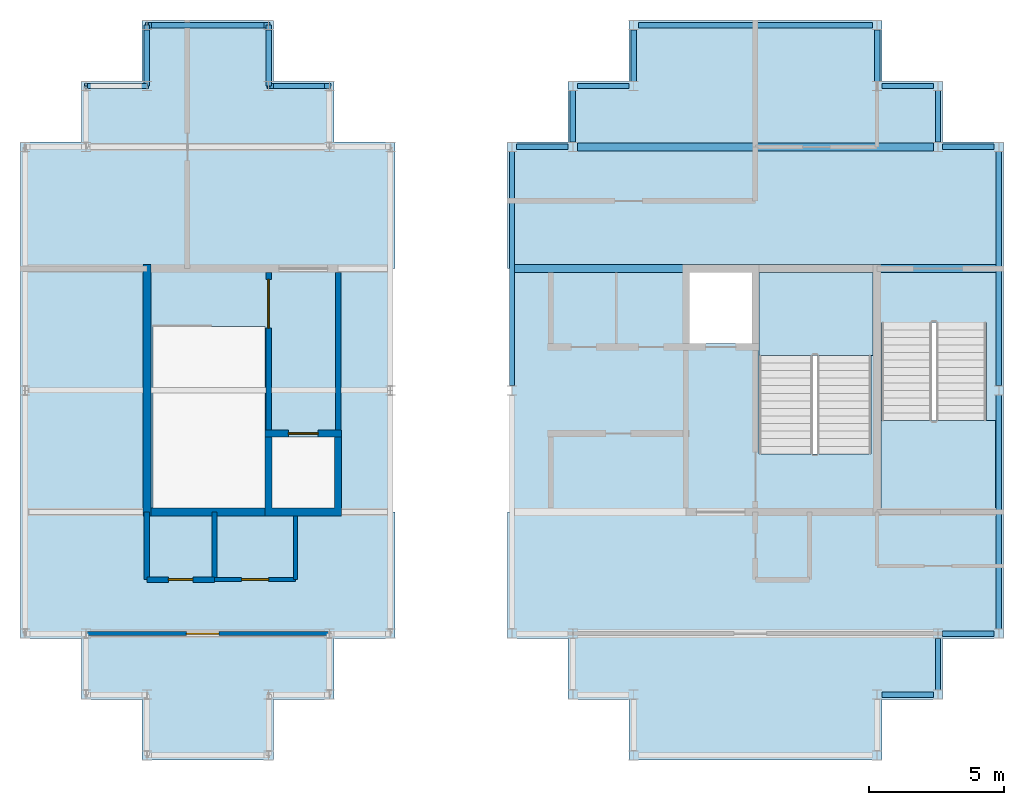
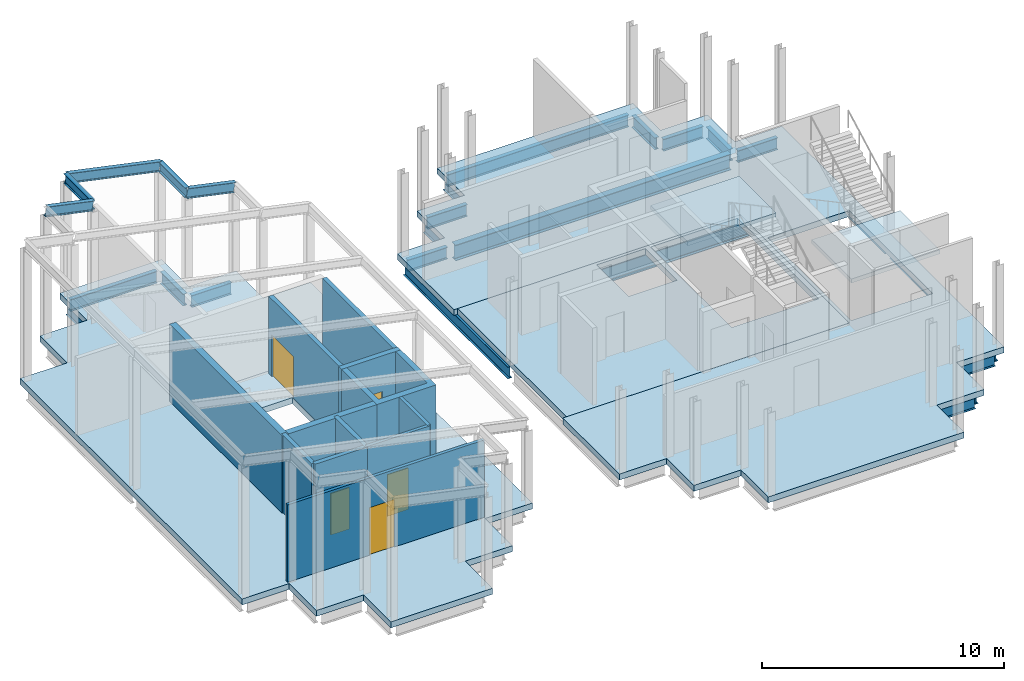
# One storey, part 2 of 6: 26 beams, 12 walls, 6 slabs, 5 doors, 5 openings, 2 elements without a shape of their own.
"""IFC4 building model written with IfcOpenShell, lengths in metres."""

from ifc_helpers import new_model, si_unit, direction, frame, frame_2d, origin, origin_2d, place, context, subcontext, project, spatial, polyline, rectangle, i_section, outline, extrude, material, layer, layer_set, material_profile, profile_set, type_object, element, fill, aggregate, save


model = new_model("IFC4")

# Units and contexts
model_context = context("Model", 3, precision=1e-05, world=origin(), true_north=direction((0.0, 1.0)))
body_context = subcontext(model_context, "Body", "Model", "MODEL_VIEW")
ifc_project = project(units=[si_unit("LENGTHUNIT", "METRE"), si_unit("AREAUNIT", "SQUARE_METRE"), si_unit("VOLUMEUNIT", "CUBIC_METRE"), si_unit("PLANEANGLEUNIT", "RADIAN"), si_unit("MASSUNIT", "GRAM", prefix="KILO")], contexts=[model_context])

# Site, building, storey
site_placement = place(None, origin())
site = spatial("IfcSite", under=ifc_project, at=site_placement, CompositionType="ELEMENT")
building_placement = place(site_placement, origin())
building = spatial("IfcBuilding", under=site, at=building_placement, Name="Caravel Reach Hotel and Residences", CompositionType="ELEMENT")
storey_placement = place(building_placement, frame((0.0, 0.0, 321.199951171875)))
storey = spatial("IfcBuildingStorey", under=building, at=storey_placement, Name="L81", CompositionType="ELEMENT", Elevation=321.199951171875)

# Beams
ifc_material_1 = material(Name="Structural steel Q355B", Category="steel")
ifc_material_profile_1 = material_profile(ifc_material_1, i_section(OverallWidth=0.300048828125, OverallDepth=0.800048828125, WebThickness=0.013916015625, FlangeThickness=0.02587890625, FilletRadius=0.01806640625, at=origin_2d()), Name="HN 800x300x14x26")
ifc_profile_set_1 = profile_set([ifc_material_profile_1], Name="Structural steel Q355B")
beam_type_1 = type_object("IfcBeamType", Name="Beam HN 800x300x14x26", PredefinedType="BEAM", material=ifc_profile_set_1)
beam_1_placement = place(storey_placement, frame((31.60009765625, 31.5, -0.699951171875), z_axis=(1.0, 0.0, 0.0), x_axis=(0.0, 1.0, 0.0)))
element("IfcBeam", 1, at=beam_1_placement, inside=storey, type_object=beam_type_1, Name="B4 HN 800x300x14x26", PredefinedType="BEAM", context=body_context, shape_type="SweptSolid", body=[
    extrude(i_section(OverallWidth=0.300048828125, OverallDepth=0.800048828125, WebThickness=0.013916015625, FlangeThickness=0.02587890625, FilletRadius=0.01806640625, at=origin_2d()), origin(), (0.0, 0.0, 1.0), 17.7998046875),
])
beam_2_placement = place(storey_placement, frame((33.925048828125, 36.0, -0.699951171875), z_axis=(1.0, 0.0, 0.0), x_axis=(0.0, 1.0, 0.0)))
element("IfcBeam", 2, at=beam_2_placement, inside=storey, type_object=beam_type_1, Name="B4 HN 800x300x14x26", PredefinedType="BEAM", context=body_context, shape_type="SweptSolid", body=[
    extrude(i_section(OverallWidth=0.300048828125, OverallDepth=0.800048828125, WebThickness=0.013916015625, FlangeThickness=0.02587890625, FilletRadius=0.01806640625, at=origin_2d()), origin(), (0.0, 0.0, 1.0), 13.14990234375),
])
ifc_material_2 = material(Name="Structural steel Q355B", Category="steel")
ifc_material_profile_2 = material_profile(ifc_material_2, i_section(OverallWidth=0.199951171875, OverallDepth=0.5, WebThickness=0.010009765625, FlangeThickness=0.01611328125, FilletRadius=0.012939453125, at=origin_2d()), Name="HN 500x200x10x16")
ifc_profile_set_2 = profile_set([ifc_material_profile_2], Name="Structural steel Q355B")
beam_type_2 = type_object("IfcBeamType", Name="Edge beam HN 500x200x10x16", PredefinedType="USERDEFINED", material=ifc_profile_set_2)
beam_3_placement = place(storey_placement, frame((24.75, 38.25, 4.428466796875), z_axis=(-0.978167482015, 0.0, 0.207818134742), x_axis=(0.0, -1.0, 0.0)))
element("IfcBeam", 3, at=beam_3_placement, inside=storey, type_object=beam_type_2, Name="EB3 HN 500x200x10x16", ObjectType="Edge beam", PredefinedType="USERDEFINED", context=body_context, shape_type="SweptSolid", body=[
    extrude(i_section(OverallWidth=0.199951171875, OverallDepth=0.5, WebThickness=0.010009765625, FlangeThickness=0.01611328125, FilletRadius=0.012939453125, at=origin_2d()), origin(), (0.0, 0.0, 1.0), 2.30029296875),
])
beam_4_placement = place(storey_placement, frame((22.5, 38.25, 4.906494140625), z_axis=(0.0, 1.0, 0.0), x_axis=(-1.0, 0.0, 0.0)))
element("IfcBeam", 4, at=beam_4_placement, inside=storey, type_object=beam_type_2, Name="EB3 HN 500x200x10x16", ObjectType="Edge beam", PredefinedType="USERDEFINED", context=body_context, shape_type="SweptSolid", body=[
    extrude(i_section(OverallWidth=0.199951171875, OverallDepth=0.5, WebThickness=0.010009765625, FlangeThickness=0.01611328125, FilletRadius=0.012939453125, at=origin_2d()), origin(), (0.0, 0.0, 1.0), 2.25),
])
beam_5_placement = place(storey_placement, frame((22.5, 40.5, 4.906494140625), z_axis=(-0.978145901394, 0.0, 0.20791968542), x_axis=(0.0, -1.0, 0.0)))
element("IfcBeam", 5, at=beam_5_placement, inside=storey, type_object=beam_type_2, Name="EB3 HN 500x200x10x16", ObjectType="Edge beam", PredefinedType="USERDEFINED", context=body_context, shape_type="SweptSolid", body=[
    extrude(i_section(OverallWidth=0.199951171875, OverallDepth=0.5, WebThickness=0.010009765625, FlangeThickness=0.01611328125, FilletRadius=0.012939453125, at=origin_2d()), origin(), (0.0, 0.0, 1.0), 4.6005859375),
])
beam_6_placement = place(storey_placement, frame((18.0, 40.5, 5.863037109375), z_axis=(0.0, -1.0, 0.0), x_axis=(1.0, 0.0, 0.0)))
element("IfcBeam", 6, at=beam_6_placement, inside=storey, type_object=beam_type_2, Name="EB3 HN 500x200x10x16", ObjectType="Edge beam", PredefinedType="USERDEFINED", context=body_context, shape_type="SweptSolid", body=[
    extrude(i_section(OverallWidth=0.199951171875, OverallDepth=0.5, WebThickness=0.010009765625, FlangeThickness=0.01611328125, FilletRadius=0.012939453125, at=origin_2d()), origin(), (0.0, 0.0, 1.0), 2.25),
])
beam_7_placement = place(storey_placement, frame((18.0, 38.25, 5.863037109375), z_axis=(-0.978145901394, 0.0, 0.20791968542), x_axis=(0.0, -1.0, 0.0)))
element("IfcBeam", 7, at=beam_7_placement, inside=storey, type_object=beam_type_2, Name="EB3 HN 500x200x10x16", ObjectType="Edge beam", PredefinedType="USERDEFINED", context=body_context, shape_type="SweptSolid", body=[
    extrude(i_section(OverallWidth=0.199951171875, OverallDepth=0.5, WebThickness=0.010009765625, FlangeThickness=0.01611328125, FilletRadius=0.012939453125, at=origin_2d()), origin(), (0.0, 0.0, 1.0), 2.30029296875),
])
ifc_material_3 = material(Name="Structural steel Q355B", Category="steel")
ifc_material_profile_3 = material_profile(ifc_material_3, i_section(OverallWidth=0.199951171875, OverallDepth=0.60009765625, WebThickness=0.010986328125, FlangeThickness=0.01708984375, FilletRadius=0.012939453125, at=origin_2d()), Name="HN 600x200x11x17")
ifc_profile_set_3 = profile_set([ifc_material_profile_3], Name="Structural steel Q355B")
beam_type_3 = type_object("IfcBeamType", Name="Spandrel beam HN 600x200x11x17", PredefinedType="SPANDREL", material=ifc_profile_set_3)
for number, where, z_axis, x_axis, name in (
    (8, (45.175048828125, 15.75, -0.599853515625), (1.0, 0.0, 0.0), (0.0, 1.0, 0.0), "SP1 HN 600x200x11x17"),
    (9, (47.25, 15.925048828125, -0.599853515625), (0.0, 1.0, 0.0), (-1.0, 0.0, 0.0), "SP1 HN 600x200x11x17"),
    (10, (47.425048828125, 18.0, -0.599853515625), (1.0, 0.0, 0.0), (0.0, 1.0, 0.0), "SP1 HN 600x200x11x17"),
):
    element("IfcBeam", number, at=place(storey_placement, frame(where, z_axis=z_axis, x_axis=x_axis)), inside=storey, type_object=beam_type_3, Name=name, PredefinedType="SPANDREL", context=body_context, shape_type="SweptSolid", body=[
        extrude(i_section(OverallWidth=0.199951171875, OverallDepth=0.60009765625, WebThickness=0.010986328125, FlangeThickness=0.01708984375, FilletRadius=0.012939453125, at=origin_2d()), origin(), (0.0, 0.0, 1.0), 1.89990234375),
    ])
for number, where, z_axis, x_axis, name in (
    (11, (49.5, 18.175048828125, -0.599853515625), (0.0, 1.0, 0.0), (-1.0, 0.0, 0.0), "SP1 HN 600x200x11x17"),
    (12, (49.5, 27.175048828125, -0.599853515625), (0.0, 1.0, 0.0), (-1.0, 0.0, 0.0), "SP1 HN 600x200x11x17"),
):
    element("IfcBeam", number, at=place(storey_placement, frame(where, z_axis=z_axis, x_axis=x_axis)), inside=storey, type_object=beam_type_3, Name=name, PredefinedType="SPANDREL", context=body_context, shape_type="SweptSolid", body=[
        extrude(i_section(OverallWidth=0.199951171875, OverallDepth=0.60009765625, WebThickness=0.010986328125, FlangeThickness=0.01708984375, FilletRadius=0.012939453125, at=origin_2d()), origin(), (0.0, 0.0, 1.0), 8.64990234375),
    ])
for number, where, z_axis, x_axis, name in (
    (13, (49.324951171875, 36.0, -0.599853515625), (-1.0, 0.0, 0.0), (0.0, -1.0, 0.0), "SP1 HN 600x200x11x17"),
    (14, (47.25, 36.175048828125, -0.599853515625), (0.0, 1.0, 0.0), (-1.0, 0.0, 0.0), "SP1 HN 600x200x11x17"),
    (15, (47.074951171875, 38.25, -0.599853515625), (-1.0, 0.0, 0.0), (0.0, -1.0, 0.0), "SP1 HN 600x200x11x17"),
    (16, (45.0, 38.425048828125, -0.599853515625), (0.0, 1.0, 0.0), (-1.0, 0.0, 0.0), "SP1 HN 600x200x11x17"),
):
    element("IfcBeam", number, at=place(storey_placement, frame(where, z_axis=z_axis, x_axis=x_axis)), inside=storey, type_object=beam_type_3, Name=name, PredefinedType="SPANDREL", context=body_context, shape_type="SweptSolid", body=[
        extrude(i_section(OverallWidth=0.199951171875, OverallDepth=0.60009765625, WebThickness=0.010986328125, FlangeThickness=0.01708984375, FilletRadius=0.012939453125, at=origin_2d()), origin(), (0.0, 0.0, 1.0), 1.89990234375),
    ])
beam_8_placement = place(storey_placement, frame((44.824951171875, 40.5, -0.599853515625), z_axis=(-1.0, 0.0, 0.0), x_axis=(0.0, -1.0, 0.0)))
element("IfcBeam", 17, at=beam_8_placement, inside=storey, type_object=beam_type_3, Name="SP1 HN 600x200x11x17", PredefinedType="SPANDREL", context=body_context, shape_type="SweptSolid", body=[
    extrude(i_section(OverallWidth=0.199951171875, OverallDepth=0.60009765625, WebThickness=0.010986328125, FlangeThickness=0.01708984375, FilletRadius=0.012939453125, at=origin_2d()), origin(), (0.0, 0.0, 1.0), 8.64990234375),
])
for number, where, z_axis, x_axis, name in (
    (18, (36.0, 40.324951171875, -0.599853515625), (0.0, -1.0, 0.0), (1.0, 0.0, 0.0), "SP1 HN 600x200x11x17"),
    (19, (35.824951171875, 38.25, -0.599853515625), (-1.0, 0.0, 0.0), (0.0, -1.0, 0.0), "SP1 HN 600x200x11x17"),
    (20, (33.75, 38.074951171875, -0.599853515625), (0.0, -1.0, 0.0), (1.0, 0.0, 0.0), "SP1 HN 600x200x11x17"),
    (21, (33.574951171875, 36.0, -0.599853515625), (-1.0, 0.0, 0.0), (0.0, -1.0, 0.0), "SP1 HN 600x200x11x17"),
):
    element("IfcBeam", number, at=place(storey_placement, frame(where, z_axis=z_axis, x_axis=x_axis)), inside=storey, type_object=beam_type_3, Name=name, PredefinedType="SPANDREL", context=body_context, shape_type="SweptSolid", body=[
        extrude(i_section(OverallWidth=0.199951171875, OverallDepth=0.60009765625, WebThickness=0.010986328125, FlangeThickness=0.01708984375, FilletRadius=0.012939453125, at=origin_2d()), origin(), (0.0, 0.0, 1.0), 1.89990234375),
    ])
beam_9_placement = place(storey_placement, frame((31.5, 35.824951171875, -0.599853515625), z_axis=(0.0, -1.0, 0.0), x_axis=(1.0, 0.0, 0.0)))
element("IfcBeam", 22, at=beam_9_placement, inside=storey, type_object=beam_type_3, Name="SP1 HN 600x200x11x17", PredefinedType="SPANDREL", context=body_context, shape_type="SweptSolid", body=[
    extrude(i_section(OverallWidth=0.199951171875, OverallDepth=0.60009765625, WebThickness=0.010986328125, FlangeThickness=0.01708984375, FilletRadius=0.012939453125, at=origin_2d()), origin(), (0.0, 0.0, 1.0), 8.64990234375),
])
for number, where, z_axis, x_axis, name in (
    (23, (24.574951171875, 38.25, -0.599853515625), (-1.0, 0.0, 0.0), (0.0, -1.0, 0.0), "SP1 HN 600x200x11x17"),
    (24, (22.5, 38.425048828125, -0.599853515625), (0.0, 1.0, 0.0), (-1.0, 0.0, 0.0), "SP1 HN 600x200x11x17"),
):
    element("IfcBeam", number, at=place(storey_placement, frame(where, z_axis=z_axis, x_axis=x_axis)), inside=storey, type_object=beam_type_3, Name=name, PredefinedType="SPANDREL", context=body_context, shape_type="SweptSolid", body=[
        extrude(i_section(OverallWidth=0.199951171875, OverallDepth=0.60009765625, WebThickness=0.010986328125, FlangeThickness=0.01708984375, FilletRadius=0.012939453125, at=origin_2d()), origin(), (0.0, 0.0, 1.0), 1.89990234375),
    ])
beam_10_placement = place(storey_placement, frame((22.324951171875, 40.5, -0.599853515625), z_axis=(-1.0, 0.0, 0.0), x_axis=(0.0, -1.0, 0.0)))
element("IfcBeam", 25, at=beam_10_placement, inside=storey, type_object=beam_type_3, Name="SP1 HN 600x200x11x17", PredefinedType="SPANDREL", context=body_context, shape_type="SweptSolid", body=[
    extrude(i_section(OverallWidth=0.199951171875, OverallDepth=0.60009765625, WebThickness=0.010986328125, FlangeThickness=0.01708984375, FilletRadius=0.012939453125, at=origin_2d()), origin(), (0.0, 0.0, 1.0), 4.14990234375),
])
beam_11_placement = place(storey_placement, frame((18.0, 40.324951171875, -0.599853515625), z_axis=(0.0, -1.0, 0.0), x_axis=(1.0, 0.0, 0.0)))
element("IfcBeam", 26, at=beam_11_placement, inside=storey, type_object=beam_type_3, Name="SP1 HN 600x200x11x17", PredefinedType="SPANDREL", context=body_context, shape_type="SweptSolid", body=[
    extrude(i_section(OverallWidth=0.199951171875, OverallDepth=0.60009765625, WebThickness=0.010986328125, FlangeThickness=0.01708984375, FilletRadius=0.012939453125, at=origin_2d()), origin(), (0.0, 0.0, 1.0), 1.89990234375),
])

# Slabs
ifc_material_4 = material(Name="Concrete C40", Category="concrete")
ifc_layer_1 = layer(ifc_material_4, 0.300048828125)
ifc_layer_set_1 = layer_set([ifc_layer_1], Name="Core floor slab 300 mm")
slab_type_1 = type_object("IfcSlabType", Name="Core floor slab 300 mm", PredefinedType="FLOOR", material=ifc_layer_set_1)
slab_1_placement = place(storey_placement, frame((0.0, 0.0, -0.300048828125)))
element("IfcSlab", 27, at=slab_1_placement, inside=storey, type_object=slab_type_1, Name="L81 core floor", PredefinedType="FLOOR", context=body_context, shape_type="SweptSolid", body=[
    extrude(outline(polyline([(45.0, 22.5), (31.5, 22.5), (31.5, 31.5), (45.0, 31.5), (45.0, 22.5)]), holes=[polyline([(40.625, 24.64990234375), (44.77490234375, 24.64990234375), (44.77490234375, 31.35009765625), (40.625, 31.35009765625), (40.625, 24.64990234375)]), polyline([(38.0537109375, 28.72509765625), (40.375, 28.72509765625), (40.375, 31.35009765625), (38.0537109375, 31.35009765625), (38.0537109375, 28.72509765625)])]), origin(), (0.0, 0.0, 1.0), 0.300048828125),
])
slab_2_placement = place(storey_placement, frame((0.0, 0.0, -0.300048828125)))
element("IfcSlab", 28, at=slab_2_placement, inside=storey, type_object=slab_type_1, Name="L81 core floor", PredefinedType="FLOOR", context=body_context, shape_type="SweptSolid", body=[
    extrude(outline(polyline([(18.0, 31.5), (27.0, 31.5), (27.0, 22.5), (18.0, 22.5), (18.0, 31.5)]), holes=[polyline([(22.625, 22.64990234375), (24.9462890625, 22.64990234375), (24.9462890625, 25.27490234375), (22.625, 25.27490234375), (22.625, 22.64990234375)]), polyline([(22.375, 29.35009765625), (18.22509765625, 29.35009765625), (18.22509765625, 22.64990234375), (22.375, 22.64990234375), (22.375, 29.35009765625)])]), origin(), (0.0, 0.0, 1.0), 0.300048828125),
])

# Stair, slab
ifc_material_5 = material(Name="Concrete C40", Category="concrete")
stair_type = type_object("IfcStairType", Name="Core stair", PredefinedType="HALF_TURN_STAIR", material=ifc_material_5)
stair_1_placement = place(storey_placement, origin())
stair_1 = element("IfcStair", 29, at=stair_1_placement, inside=storey, type_object=stair_type, Name="L81 Exit stair B", PredefinedType="HALF_TURN_STAIR")
ifc_material_6 = material(Name="Concrete C40", Category="concrete")
ifc_layer_2 = layer(ifc_material_6, 0.199951171875)
ifc_layer_set_2 = layer_set([ifc_layer_2], Name="Core stair landing")
slab_type_2 = type_object("IfcSlabType", Name="Core stair landing", PredefinedType="LANDING", material=ifc_layer_set_2)
slab_3_placement = place(storey_placement, frame((0.0, 0.0, 1.900146484375)))
slab_3 = element("IfcSlab", 30, at=slab_3_placement, type_object=slab_type_2, Name="ST-B landing 1", PredefinedType="LANDING", context=body_context, shape_type="SweptSolid", body=[
    extrude(outline(polyline([(44.85009765625, 28.2900390625), (44.85009765625, 31.35009765625), (40.625, 31.35009765625), (40.625, 28.2900390625), (44.85009765625, 28.2900390625)])), origin(), (0.0, 0.0, 1.0), 0.199951171875),
])
aggregate(stair_1, [slab_3])

stair_2_placement = place(storey_placement, origin())
stair_2 = element("IfcStair", 31, at=stair_2_placement, inside=storey, type_object=stair_type, Name="L81 Exit stair C", PredefinedType="HALF_TURN_STAIR")
slab_4_placement = place(storey_placement, frame((0.0, 0.0, 1.900146484375)))
slab_4 = element("IfcSlab", 32, at=slab_4_placement, type_object=slab_type_2, Name="ST-C landing 1", PredefinedType="LANDING", context=body_context, shape_type="SweptSolid", body=[
    extrude(outline(polyline([(45.14990234375, 25.875), (45.14990234375, 22.60009765625), (49.3701171875, 22.60009765625), (49.3701171875, 25.875), (45.14990234375, 25.875)])), origin(), (0.0, 0.0, 1.0), 0.199951171875),
])
aggregate(stair_2, [slab_4])

# Slabs
ifc_material_7 = material(Name="Concrete C40 post-tensioned", Category="concrete")
ifc_layer_3 = layer(ifc_material_7, 0.300048828125)
ifc_layer_set_3 = layer_set([ifc_layer_3], Name="Floor slab 300")
slab_type_3 = type_object("IfcSlabType", Name="Floor slab 300", PredefinedType="FLOOR", material=ifc_layer_set_3)
slab_5_placement = place(storey_placement, frame((0.0, 0.0, -0.300048828125)))
element("IfcSlab", 33, at=slab_5_placement, inside=storey, type_object=slab_type_3, Name="S2 slab L81", PredefinedType="FLOOR", context=body_context, shape_type="SweptSolid", body=[
    extrude(outline(polyline([(13.324951171875, 17.824951171875), (13.324951171875, 36.175048828125), (15.574951171875, 36.175048828125), (15.574951171875, 38.425048828125), (17.824951171875, 38.425048828125), (17.824951171875, 40.675048828125), (22.675048828125, 40.675048828125), (22.675048828125, 38.425048828125), (24.925048828125, 38.425048828125), (24.925048828125, 36.175048828125), (27.175048828125, 36.175048828125), (27.175048828125, 31.5), (18.0, 31.5), (18.0, 22.5), (27.175048828125, 22.5), (27.175048828125, 17.824951171875), (24.925048828125, 17.824951171875), (24.925048828125, 15.574951171875), (22.675048828125, 15.574951171875), (22.675048828125, 13.324951171875), (17.824951171875, 13.324951171875), (17.824951171875, 15.574951171875), (15.574951171875, 15.574951171875), (15.574951171875, 17.824951171875), (13.324951171875, 17.824951171875)])), origin(), (0.0, 0.0, 1.0), 0.300048828125),
])
slab_6_placement = place(storey_placement, frame((0.0, 0.0, -0.300048828125)))
element("IfcSlab", 34, at=slab_6_placement, inside=storey, type_object=slab_type_3, Name="S2 slab L81", PredefinedType="FLOOR", context=body_context, shape_type="SweptSolid", body=[
    extrude(outline(polyline([(31.324951171875, 17.824951171875), (31.324951171875, 22.5), (40.5, 22.5), (45.0, 22.5), (45.0, 31.5), (40.5, 31.5), (31.324951171875, 31.5), (31.324951171875, 36.175048828125), (33.574951171875, 36.175048828125), (33.574951171875, 38.425048828125), (35.824951171875, 38.425048828125), (35.824951171875, 40.675048828125), (45.175048828125, 40.675048828125), (45.175048828125, 38.425048828125), (47.425048828125, 38.425048828125), (47.425048828125, 36.175048828125), (49.675048828125, 36.175048828125), (49.675048828125, 17.824951171875), (47.425048828125, 17.824951171875), (47.425048828125, 15.574951171875), (45.175048828125, 15.574951171875), (45.175048828125, 13.324951171875), (35.824951171875, 13.324951171875), (35.824951171875, 15.574951171875), (33.574951171875, 15.574951171875), (33.574951171875, 17.824951171875), (31.324951171875, 17.824951171875)]), holes=[polyline([(45.159912109375, 22.6201171875), (49.0400390625, 22.6201171875), (49.0400390625, 29.514892578125), (45.159912109375, 29.514892578125), (45.159912109375, 22.6201171875)])]), origin(), (0.0, 0.0, 1.0), 0.300048828125),
])

# Wall, opening, door
ifc_material_8 = material(Name="Autoclaved aerated block wall")
ifc_layer_4 = layer(ifc_material_8, 0.199951171875)
ifc_layer_set_4 = layer_set([ifc_layer_4], Name="Compartment wall 200 mm EI 120")
wall_type_1 = type_object("IfcWallType", Name="Compartment wall 200 mm EI 120", PredefinedType="PARTITIONING", material=ifc_layer_set_4)
wall_1_placement = place(storey_placement, frame((18.0, 20.0, 0.0), z_axis=(0.0, 0.0, 1.0), x_axis=(1.0, 0.0, 0.0)))
wall_1 = element("IfcWall", 35, at=wall_1_placement, inside=storey, type_object=wall_type_1, Name="L81 wall w010", PredefinedType="PARTITIONING", context=body_context, shape_type="SweptSolid", body=[
    extrude(rectangle(XDim=2.5, YDim=0.199951171875, at=frame_2d((1.25, 0.0))), origin(), (0.0, 0.0, 1.0), 3.900146484375),
])
opening_1_placement = place(wall_1_placement, frame((0.800048828125, 0.0, 0.0)))
opening_1 = element("IfcOpeningElement", 36, at=opening_1_placement, cuts=wall_1, Name="Opening D81-012", PredefinedType="OPENING", context=body_context, shape_type="SweptSolid", body=[
    extrude(rectangle(XDim=0.89990234375, YDim=2.10009765625, at=frame_2d((0.449951171875, 1.050048828125))), frame((0.0, 0.10986328125, 0.0), z_axis=(0.0, -1.0, 0.0), x_axis=(1.0, 0.0, 0.0)), (0.0, 0.0, 1.0), 0.219970703125),
])
ifc_material_9 = material(Name="Steel fire door leaf", Category="steel")
door_type_1 = type_object("IfcDoorType", Name="Riser door 900 x 2100 EI 60", OperationType="SINGLE_SWING_LEFT", PredefinedType="DOOR", material=ifc_material_9)
door_1_placement = place(opening_1_placement, origin())
door_1 = element("IfcDoor", 37, at=door_1_placement, inside=storey, type_object=door_type_1, Name="door D81-012", OperationType="SINGLE_SWING_LEFT", OverallHeight=2.10009765625, OverallWidth=0.89990234375, PredefinedType="DOOR", context=body_context, shape_type="SweptSolid", body=[
    extrude(rectangle(XDim=0.89990234375, YDim=2.10009765625, at=frame_2d((0.449951171875, 1.050048828125))), frame((0.0, 0.02490234375, 0.0), z_axis=(0.0, -1.0, 0.0), x_axis=(1.0, 0.0, 0.0)), (0.0, 0.0, 1.0), 0.050048828125),
])
fill(opening_1, door_1)

# Walls
for number, where, z_axis, x_axis, name in (
    (38, (18.0, 20.0, 0.0), (0.0, 0.0, 1.0), (0.0, 1.0, 0.0), "L81 wall w013"),
    (39, (20.5, 20.0, 0.0), (0.0, 0.0, 1.0), (0.0, 1.0, 0.0), "L81 wall w015"),
):
    element("IfcWall", number, at=place(storey_placement, frame(where, z_axis=z_axis, x_axis=x_axis)), inside=storey, type_object=wall_type_1, Name=name, PredefinedType="PARTITIONING", context=body_context, shape_type="SweptSolid", body=[
        extrude(rectangle(XDim=2.5, YDim=0.199951171875, at=frame_2d((1.25, 0.0))), origin(), (0.0, 0.0, 1.0), 3.900146484375),
    ])
ifc_material_10 = material(Name="Concrete C60", Category="concrete")
ifc_layer_5 = layer(ifc_material_10, 0.300048828125)
ifc_layer_set_5 = layer_set([ifc_layer_5], Name="Core wall 300 mm EI 120")
wall_type_2 = type_object("IfcWallType", Name="Core wall 300 mm EI 120", PredefinedType="SHEAR", material=ifc_layer_set_5)
wall_2_placement = place(storey_placement, frame((18.14990234375, 22.5, 0.0), z_axis=(0.0, 0.0, 1.0), x_axis=(1.0, 0.0, 0.0)))
element("IfcWall", 40, at=wall_2_placement, inside=storey, type_object=wall_type_2, Name="L81 core wall S1", PredefinedType="SHEAR", context=body_context, shape_type="SweptSolid", body=[
    extrude(rectangle(XDim=4.22509765625, YDim=0.300048828125, at=frame_2d((2.112548828125, 0.0))), origin(), (0.0, 0.0, 1.0), 3.900146484375),
])
wall_3_placement = place(storey_placement, frame((18.0, 22.35009765625, 0.0), z_axis=(0.0, 0.0, 1.0), x_axis=(0.0, 1.0, 0.0)))
element("IfcWall", 41, at=wall_3_placement, inside=storey, type_object=wall_type_2, Name="L81 core wall W", PredefinedType="SHEAR", context=body_context, shape_type="SweptSolid", body=[
    extrude(rectangle(XDim=9.2998046875, YDim=0.300048828125, at=frame_2d((4.64990234375, 0.0))), origin(), (0.0, 0.0, 1.0), 3.900146484375),
])

# Wall, opening, door
ifc_material_11 = material(Name="Gypsum board on steel stud, fire-rated", Category="steel")
ifc_layer_6 = layer(ifc_material_11, 0.14990234375)
ifc_layer_set_6 = layer_set([ifc_layer_6], Name="Corridor wall 150 mm EI 60")
wall_type_3 = type_object("IfcWallType", Name="Corridor wall 150 mm EI 60", PredefinedType="PARTITIONING", material=ifc_layer_set_6)
wall_4_placement = place(storey_placement, frame((15.56005859375, 18.0, 0.0), z_axis=(0.0, 0.0, 1.0), x_axis=(1.0, 0.0, 0.0)))
wall_4 = element("IfcWall", 42, at=wall_4_placement, inside=storey, type_object=wall_type_3, Name="L81 wall w002", PredefinedType="PARTITIONING", context=body_context, shape_type="SweptSolid", body=[
    extrude(rectangle(XDim=9.3798828125, YDim=0.14990234375, at=frame_2d((4.68994140625, 0.0))), origin(), (0.0, 0.0, 1.0), 3.900146484375),
])
opening_2_placement = place(wall_4_placement, frame((3.89990234375, 0.0, 0.0)))
opening_2 = element("IfcOpeningElement", 43, at=opening_2_placement, cuts=wall_4, Name="Opening D81-017", PredefinedType="OPENING", context=body_context, shape_type="SweptSolid", body=[
    extrude(rectangle(XDim=1.199951171875, YDim=2.39990234375, at=frame_2d((0.60009765625, 1.199951171875))), frame((0.0, 0.0849609375, 0.0), z_axis=(0.0, -1.0, 0.0), x_axis=(1.0, 0.0, 0.0)), (0.0, 0.0, 1.0), 0.169921875),
])
ifc_material_12 = material(Name="Timber and steel door leaf", Category="steel")
door_type_2 = type_object("IfcDoorType", Name="Glazed door 1200 x 2400", OperationType="SINGLE_SWING_LEFT", PredefinedType="DOOR", material=ifc_material_12)
door_2_placement = place(opening_2_placement, origin())
door_2 = element("IfcDoor", 44, at=door_2_placement, inside=storey, type_object=door_type_2, Name="door D81-017", OperationType="SINGLE_SWING_LEFT", OverallHeight=2.39990234375, OverallWidth=1.199951171875, PredefinedType="DOOR", context=body_context, shape_type="SweptSolid", body=[
    extrude(rectangle(XDim=1.199951171875, YDim=2.39990234375, at=frame_2d((0.60009765625, 1.199951171875))), frame((0.0, 0.02490234375, 0.0), z_axis=(0.0, -1.0, 0.0), x_axis=(1.0, 0.0, 0.0)), (0.0, 0.0, 1.0), 0.050048828125),
])
fill(opening_2, door_2)

wall_5_placement = place(storey_placement, frame((20.5, 20.0, 0.0), z_axis=(0.0, 0.0, 1.0), x_axis=(1.0, 0.0, 0.0)))
wall_5 = element("IfcWall", 45, at=wall_5_placement, inside=storey, type_object=wall_type_3, Name="L81 wall w003", PredefinedType="PARTITIONING", context=body_context, shape_type="SweptSolid", body=[
    extrude(rectangle(XDim=3.0, YDim=0.14990234375, at=frame_2d((1.5, 0.0))), origin(), (0.0, 0.0, 1.0), 3.900146484375),
])
opening_3_placement = place(wall_5_placement, frame((1.0, 0.0, 0.0)))
opening_3 = element("IfcOpeningElement", 46, at=opening_3_placement, cuts=wall_5, Name="Opening D81-013", PredefinedType="OPENING", context=body_context, shape_type="SweptSolid", body=[
    extrude(rectangle(XDim=1.0, YDim=2.10009765625, at=frame_2d((0.5, 1.050048828125))), frame((0.0, 0.0849609375, 0.0), z_axis=(0.0, -1.0, 0.0), x_axis=(1.0, 0.0, 0.0)), (0.0, 0.0, 1.0), 0.169921875),
])
ifc_material_13 = material(Name="Steel fire door leaf", Category="steel")
door_type_3 = type_object("IfcDoorType", Name="Fire door 1000 x 2100 EI 60", OperationType="SINGLE_SWING_LEFT", PredefinedType="DOOR", material=ifc_material_13)
door_3_placement = place(opening_3_placement, origin())
door_3 = element("IfcDoor", 47, at=door_3_placement, inside=storey, type_object=door_type_3, Name="door D81-013", OperationType="SINGLE_SWING_LEFT", OverallHeight=2.10009765625, OverallWidth=1.0, PredefinedType="DOOR", context=body_context, shape_type="SweptSolid", body=[
    extrude(rectangle(XDim=1.0, YDim=2.10009765625, at=frame_2d((0.5, 1.050048828125))), frame((0.0, 0.02490234375, 0.0), z_axis=(0.0, -1.0, 0.0), x_axis=(1.0, 0.0, 0.0)), (0.0, 0.0, 1.0), 0.050048828125),
])
fill(opening_3, door_3)

# Walls
wall_6_placement = place(storey_placement, frame((23.5, 20.0, 0.0), z_axis=(0.0, 0.0, 1.0), x_axis=(0.0, 1.0, 0.0)))
element("IfcWall", 48, at=wall_6_placement, inside=storey, type_object=wall_type_3, Name="L81 wall w006", PredefinedType="PARTITIONING", context=body_context, shape_type="SweptSolid", body=[
    extrude(rectangle(XDim=2.35009765625, YDim=0.14990234375, at=frame_2d((1.175048828125, 0.0))), origin(), (0.0, 0.0, 1.0), 3.900146484375),
])
ifc_material_14 = material(Name="Autoclaved aerated block wall")
ifc_layer_7 = layer(ifc_material_14, 0.199951171875)
ifc_layer_set_7 = layer_set([ifc_layer_7], Name="Fire lobby wall 200 mm EI 120")
wall_type_4 = type_object("IfcWallType", Name="Fire lobby wall 200 mm EI 120", PredefinedType="PARTITIONING", material=ifc_layer_set_7)
wall_7_placement = place(storey_placement, frame((25.071533203125, 25.52490234375, 0.0), z_axis=(0.0, 0.0, 1.0), x_axis=(0.0, 1.0, 0.0)))
element("IfcWall", 49, at=wall_7_placement, inside=storey, type_object=wall_type_4, Name="L81 lobby W closing wall", PredefinedType="PARTITIONING", context=body_context, shape_type="SweptSolid", body=[
    extrude(rectangle(XDim=5.8251953125, YDim=0.199951171875, at=frame_2d((2.91259765625, 0.0))), origin(), (0.0, 0.0, 1.0), 3.900146484375),
])
ifc_material_15 = material(Name="Concrete C60", Category="concrete")
ifc_layer_8 = layer(ifc_material_15, 0.25)
ifc_layer_set_8 = layer_set([ifc_layer_8], Name="Shaft wall 250 mm EI 120")
wall_type_5 = type_object("IfcWallType", Name="Shaft wall 250 mm EI 120", PredefinedType="SHEAR", material=ifc_layer_set_8)
wall_8_placement = place(storey_placement, origin())
element("IfcWall", 50, at=wall_8_placement, inside=storey, type_object=wall_type_5, Name="L81 lift shaft wall S1", PredefinedType="SHEAR", context=body_context, shape_type="SweptSolid", body=[
    extrude(outline(polyline([(22.375, 22.35009765625), (25.196533203125, 22.35009765625), (25.196533203125, 25.27490234375), (24.946533203125, 25.27490234375), (24.946533203125, 22.64990234375), (22.625, 22.64990234375), (22.625, 25.27490234375), (22.375, 25.27490234375), (22.375, 22.35009765625)])), origin(), (0.0, 0.0, 1.0), 3.900146484375),
])

# Wall, opening, door
wall_9_placement = place(storey_placement, frame((22.375, 25.39990234375, 0.0), z_axis=(0.0, 0.0, 1.0), x_axis=(1.0, 0.0, 0.0)))
wall_9 = element("IfcWall", 51, at=wall_9_placement, inside=storey, type_object=wall_type_5, Name="L81 lobby wall S1", PredefinedType="SHEAR", context=body_context, shape_type="SweptSolid", body=[
    extrude(rectangle(XDim=2.821533203125, YDim=0.25, at=frame_2d((1.41064453125, 0.0))), origin(), (0.0, 0.0, 1.0), 3.900146484375),
])
opening_4_placement = place(wall_9_placement, frame((0.860595703125, 0.0, 0.0)))
opening_4 = element("IfcOpeningElement", 52, at=opening_4_placement, cuts=wall_9, Name="Opening D81-001", PredefinedType="OPENING", context=body_context, shape_type="SweptSolid", body=[
    extrude(rectangle(XDim=1.10009765625, YDim=2.10009765625, at=frame_2d((0.550048828125, 1.050048828125))), frame((0.0, 0.135009765625, 0.0), z_axis=(0.0, -1.0, 0.0), x_axis=(1.0, 0.0, 0.0)), (0.0, 0.0, 1.0), 0.27001953125),
])
ifc_material_16 = material(Name="Stainless steel landing door", Category="steel")
door_type_4 = type_object("IfcDoorType", Name="Landing door LD 1100 x 2100 sliding", OperationType="DOUBLE_DOOR_SLIDING", PredefinedType="DOOR", material=ifc_material_16)
door_4_placement = place(opening_4_placement, origin())
door_4 = element("IfcDoor", 53, at=door_4_placement, inside=storey, type_object=door_type_4, Name="FL1 landing door", OperationType="DOUBLE_DOOR_SLIDING", OverallHeight=2.10009765625, OverallWidth=1.10009765625, PredefinedType="DOOR", context=body_context, shape_type="SweptSolid", body=[
    extrude(rectangle(XDim=1.10009765625, YDim=2.10009765625, at=frame_2d((0.550048828125, 1.050048828125))), frame((0.0, 0.02490234375, 0.0), z_axis=(0.0, -1.0, 0.0), x_axis=(1.0, 0.0, 0.0)), (0.0, 0.0, 1.0), 0.050048828125),
])
fill(opening_4, door_4)

ifc_material_17 = material(Name="Concrete C60", Category="concrete")
ifc_layer_9 = layer(ifc_material_17, 0.199951171875)
ifc_layer_set_9 = layer_set([ifc_layer_9], Name="Stair enclosure wall 200 mm EI 120")
wall_type_6 = type_object("IfcWallType", Name="Stair enclosure wall 200 mm EI 120", PredefinedType="SHEAR", material=ifc_layer_set_9)
wall_10_placement = place(storey_placement, frame((22.5, 31.35009765625, 0.0), z_axis=(0.0, 0.0, 1.0), x_axis=(0.0, -1.0, 0.0)))
wall_10 = element("IfcWall", 54, at=wall_10_placement, inside=storey, type_object=wall_type_6, Name="L81 stair A wall", PredefinedType="SHEAR", context=body_context, shape_type="SweptSolid", body=[
    extrude(rectangle(XDim=5.8251953125, YDim=0.199951171875, at=frame_2d((2.91259765625, 0.0))), origin(), (0.0, 0.0, 1.0), 3.900146484375),
])
opening_5_placement = place(wall_10_placement, frame((0.25, 0.0, 0.0)))
opening_5 = element("IfcOpeningElement", 55, at=opening_5_placement, cuts=wall_10, Name="Opening D81-006", PredefinedType="OPENING", context=body_context, shape_type="SweptSolid", body=[
    extrude(rectangle(XDim=1.800048828125, YDim=2.10009765625, at=frame_2d((0.89990234375, 1.050048828125))), frame((0.0, 0.10986328125, 0.0), z_axis=(0.0, -1.0, 0.0), x_axis=(1.0, 0.0, 0.0)), (0.0, 0.0, 1.0), 0.219970703125),
])
ifc_material_18 = material(Name="Steel fire door leaf", Category="steel")
door_type_5 = type_object("IfcDoorType", Name="Stair door pair 1800 x 2100 EI 90", OperationType="DOUBLE_DOOR_SINGLE_SWING", PredefinedType="DOOR", material=ifc_material_18)
door_5_placement = place(opening_5_placement, origin())
door_5 = element("IfcDoor", 56, at=door_5_placement, inside=storey, type_object=door_type_5, Name="stair A door pair", OperationType="DOUBLE_DOOR_SINGLE_SWING", OverallHeight=2.10009765625, OverallWidth=1.800048828125, PredefinedType="DOOR", context=body_context, shape_type="SweptSolid", body=[
    extrude(rectangle(XDim=1.800048828125, YDim=2.10009765625, at=frame_2d((0.89990234375, 1.050048828125))), frame((0.0, 0.02490234375, 0.0), z_axis=(0.0, -1.0, 0.0), x_axis=(1.0, 0.0, 0.0)), (0.0, 0.0, 1.0), 0.050048828125),
])
fill(opening_5, door_5)

save(model, "model.ifc")
